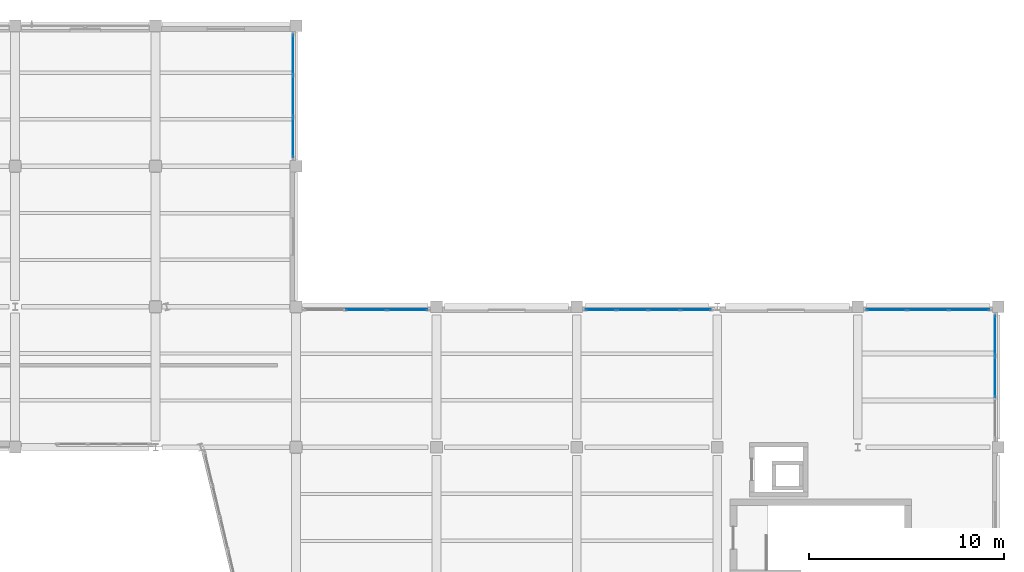
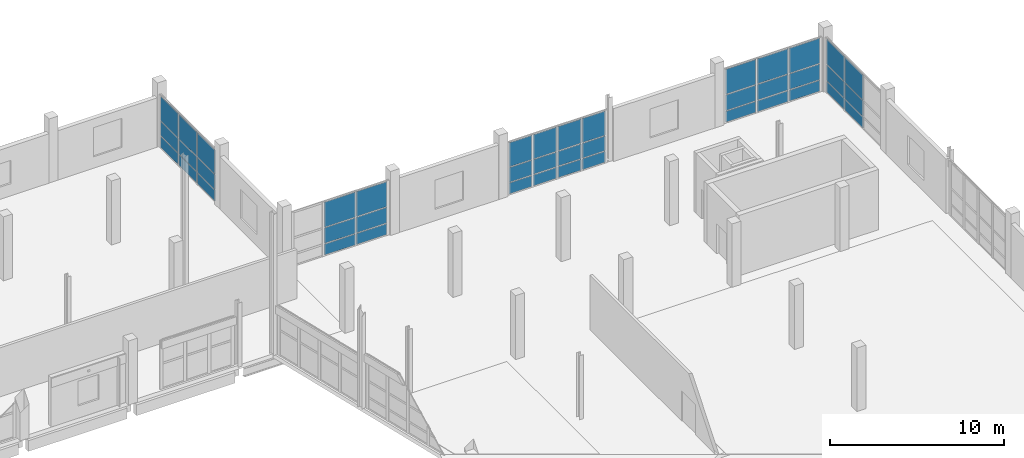
# One storey, part 80 of 123: 42 plates, 5 elements without a shape of their own.
"""IFC4 building model written with IfcOpenShell, lengths in metres."""

from ifc_helpers import new_model, si_unit, direction, frame, origin, origin_2d, place, context, subcontext, project, spatial, rectangle, extrude, material, layer, layer_set, type_object, element, aggregate, save


model = new_model("IFC4")

# Units and contexts
model_context = context("Model", 3, precision=1e-05, world=origin(), true_north=direction((0.0, 1.0)))
body_context = subcontext(model_context, "Body", "Model", "MODEL_VIEW")
ifc_project = project(units=[si_unit("LENGTHUNIT", "METRE"), si_unit("AREAUNIT", "SQUARE_METRE"), si_unit("VOLUMEUNIT", "CUBIC_METRE"), si_unit("PLANEANGLEUNIT", "RADIAN"), si_unit("MASSUNIT", "GRAM", prefix="KILO")], contexts=[model_context])

# Site, building, storey
site_placement = place(None, origin())
site = spatial("IfcSite", under=ifc_project, at=site_placement, CompositionType="ELEMENT")
building_placement = place(site_placement, origin())
building = spatial("IfcBuilding", under=site, at=building_placement, Name="Kalmorath City Hall", CompositionType="ELEMENT")
storey_placement = place(building_placement, frame((0.0, 0.0, 10.199951171875)))
storey = spatial("IfcBuildingStorey", under=building, at=storey_placement, Name="L02", CompositionType="ELEMENT", Elevation=10.199951171875)

# Curtain wall, plates
ifc_material_1 = material(Name="Anodised aluminium and laminated glass", Category="aluminium")
curtain_wall_type_1 = type_object("IfcCurtainWallType", Name="Unitised hurricane curtain wall 6420x3696 M1850", PredefinedType="NOTDEFINED", material=ifc_material_1)
curtain_wall_1_placement = place(storey_placement, origin())
curtain_wall_1 = element("IfcCurtainWall", 1, at=curtain_wall_1_placement, inside=storey, type_object=curtain_wall_type_1, Name="L02 curtain wall CW-64X37M18 #113", PredefinedType="NOTDEFINED")
ifc_material_2 = material(Name="Hurricane laminated low-E glass", Category="glass")
ifc_layer = layer(ifc_material_2, 0.035888671875)
ifc_layer_set = layer_set([ifc_layer], Name="Hurricane laminated low-E glass")
plate_type = type_object("IfcPlateType", Name="Library acoustic low-E glazed panel 36", PredefinedType="CURTAIN_PANEL", material=ifc_layer_set)
plate_1_placement = place(storey_placement, frame((129.43994140625, 113.72119140625, 0.06005859375), z_axis=(0.0, 0.0, 1.0), x_axis=(0.0, -1.0, 0.0)))
plate_1 = element("IfcPlate", 2, at=plate_1_placement, type_object=plate_type, Name="CW-64X37M18 panel 1.1", PredefinedType="CURTAIN_PANEL", context=body_context, shape_type="SweptSolid", body=[
    extrude(rectangle(XDim=2.027587890625, YDim=0.035888671875, at=origin_2d()), origin(), (0.0, 0.0, 1.0), 0.760009765625),
])
plate_2_placement = place(storey_placement, frame((129.43994140625, 113.72119140625, 0.8798828125), z_axis=(0.0, 0.0, 1.0), x_axis=(0.0, -1.0, 0.0)))
plate_2 = element("IfcPlate", 3, at=plate_2_placement, type_object=plate_type, Name="CW-64X37M18 panel 1.2", PredefinedType="CURTAIN_PANEL", context=body_context, shape_type="SweptSolid", body=[
    extrude(rectangle(XDim=2.027587890625, YDim=0.035888671875, at=origin_2d()), origin(), (0.0, 0.0, 1.0), 1.011962890625),
])
plate_3_placement = place(storey_placement, frame((129.43994140625, 113.72119140625, 1.951904296875), z_axis=(0.0, 0.0, 1.0), x_axis=(0.0, -1.0, 0.0)))
plate_3 = element("IfcPlate", 4, at=plate_3_placement, type_object=plate_type, Name="CW-64X37M18 panel 1.3", PredefinedType="CURTAIN_PANEL", context=body_context, shape_type="SweptSolid", body=[
    extrude(rectangle(XDim=2.027587890625, YDim=0.035888671875, at=origin_2d()), origin(), (0.0, 0.0, 1.0), 1.68408203125),
])
plate_4_placement = place(storey_placement, frame((129.43994140625, 111.60009765625, 0.06005859375), z_axis=(0.0, 0.0, 1.0), x_axis=(0.0, -1.0, 0.0)))
plate_4 = element("IfcPlate", 5, at=plate_4_placement, type_object=plate_type, Name="CW-64X37M18 panel 2.1", PredefinedType="CURTAIN_PANEL", context=body_context, shape_type="SweptSolid", body=[
    extrude(rectangle(XDim=2.06494140625, YDim=0.035888671875, at=origin_2d()), origin(), (0.0, 0.0, 1.0), 0.760009765625),
])
plate_5_placement = place(storey_placement, frame((129.43994140625, 111.60009765625, 0.8798828125), z_axis=(0.0, 0.0, 1.0), x_axis=(0.0, -1.0, 0.0)))
plate_5 = element("IfcPlate", 6, at=plate_5_placement, type_object=plate_type, Name="CW-64X37M18 panel 2.2", PredefinedType="CURTAIN_PANEL", context=body_context, shape_type="SweptSolid", body=[
    extrude(rectangle(XDim=2.06494140625, YDim=0.035888671875, at=origin_2d()), origin(), (0.0, 0.0, 1.0), 1.011962890625),
])
plate_6_placement = place(storey_placement, frame((129.43994140625, 111.60009765625, 1.951904296875), z_axis=(0.0, 0.0, 1.0), x_axis=(0.0, -1.0, 0.0)))
plate_6 = element("IfcPlate", 7, at=plate_6_placement, type_object=plate_type, Name="CW-64X37M18 panel 2.3", PredefinedType="CURTAIN_PANEL", context=body_context, shape_type="SweptSolid", body=[
    extrude(rectangle(XDim=2.06494140625, YDim=0.035888671875, at=origin_2d()), origin(), (0.0, 0.0, 1.0), 1.68408203125),
])
plate_7_placement = place(storey_placement, frame((129.43994140625, 109.478759765625, 0.06005859375), z_axis=(0.0, 0.0, 1.0), x_axis=(0.0, -1.0, 0.0)))
plate_7 = element("IfcPlate", 8, at=plate_7_placement, type_object=plate_type, Name="CW-64X37M18 panel 3.1", PredefinedType="CURTAIN_PANEL", context=body_context, shape_type="SweptSolid", body=[
    extrude(rectangle(XDim=2.027587890625, YDim=0.035888671875, at=origin_2d()), origin(), (0.0, 0.0, 1.0), 0.760009765625),
])
plate_8_placement = place(storey_placement, frame((129.43994140625, 109.478759765625, 0.8798828125), z_axis=(0.0, 0.0, 1.0), x_axis=(0.0, -1.0, 0.0)))
plate_8 = element("IfcPlate", 9, at=plate_8_placement, type_object=plate_type, Name="CW-64X37M18 panel 3.2", PredefinedType="CURTAIN_PANEL", context=body_context, shape_type="SweptSolid", body=[
    extrude(rectangle(XDim=2.027587890625, YDim=0.035888671875, at=origin_2d()), origin(), (0.0, 0.0, 1.0), 1.011962890625),
])
plate_9_placement = place(storey_placement, frame((129.43994140625, 109.478759765625, 1.951904296875), z_axis=(0.0, 0.0, 1.0), x_axis=(0.0, -1.0, 0.0)))
plate_9 = element("IfcPlate", 10, at=plate_9_placement, type_object=plate_type, Name="CW-64X37M18 panel 3.3", PredefinedType="CURTAIN_PANEL", context=body_context, shape_type="SweptSolid", body=[
    extrude(rectangle(XDim=2.027587890625, YDim=0.035888671875, at=origin_2d()), origin(), (0.0, 0.0, 1.0), 1.68408203125),
])
aggregate(curtain_wall_1, [plate_1, plate_2, plate_3, plate_4, plate_5, plate_6, plate_7, plate_8, plate_9])

ifc_material_3 = material(Name="Anodised aluminium and laminated glass", Category="aluminium")
curtain_wall_type_2 = type_object("IfcCurtainWallType", Name="Unitised hurricane curtain wall 6420x3835 M1850", PredefinedType="NOTDEFINED", material=ifc_material_3)
curtain_wall_2_placement = place(storey_placement, origin())
curtain_wall_2 = element("IfcCurtainWall", 11, at=curtain_wall_2_placement, inside=storey, type_object=curtain_wall_type_2, Name="L02 curtain wall CW-64X38M18 #114", PredefinedType="NOTDEFINED")
plate_10_placement = place(storey_placement, frame((133.199951171875, 100.639892578125, 0.06005859375), z_axis=(0.0, 0.0, 1.0), x_axis=(1.0, 0.0, 0.0)))
plate_10 = element("IfcPlate", 12, at=plate_10_placement, type_object=plate_type, Name="CW-64X38M18 panel 2.1", PredefinedType="CURTAIN_PANEL", context=body_context, shape_type="SweptSolid", body=[
    extrude(rectangle(XDim=2.06494140625, YDim=0.035888671875, at=origin_2d()), origin(), (0.0, 0.0, 1.0), 0.760009765625),
])
plate_11_placement = place(storey_placement, frame((133.199951171875, 100.639892578125, 0.880126953125), z_axis=(0.0, 0.0, 1.0), x_axis=(1.0, 0.0, 0.0)))
plate_11 = element("IfcPlate", 13, at=plate_11_placement, type_object=plate_type, Name="CW-64X38M18 panel 2.2", PredefinedType="CURTAIN_PANEL", context=body_context, shape_type="SweptSolid", body=[
    extrude(rectangle(XDim=2.06494140625, YDim=0.035888671875, at=origin_2d()), origin(), (0.0, 0.0, 1.0), 1.083984375),
])
plate_12_placement = place(storey_placement, frame((133.199951171875, 100.639892578125, 2.024169921875), z_axis=(0.0, 0.0, 1.0), x_axis=(1.0, 0.0, 0.0)))
plate_12 = element("IfcPlate", 14, at=plate_12_placement, type_object=plate_type, Name="CW-64X38M18 panel 2.3", PredefinedType="CURTAIN_PANEL", context=body_context, shape_type="SweptSolid", body=[
    extrude(rectangle(XDim=2.06494140625, YDim=0.035888671875, at=origin_2d()), origin(), (0.0, 0.0, 1.0), 1.7509765625),
])
plate_13_placement = place(storey_placement, frame((135.3212890625, 100.639892578125, 0.06005859375), z_axis=(0.0, 0.0, 1.0), x_axis=(1.0, 0.0, 0.0)))
plate_13 = element("IfcPlate", 15, at=plate_13_placement, type_object=plate_type, Name="CW-64X38M18 panel 3.1", PredefinedType="CURTAIN_PANEL", context=body_context, shape_type="SweptSolid", body=[
    extrude(rectangle(XDim=2.027587890625, YDim=0.035888671875, at=origin_2d()), origin(), (0.0, 0.0, 1.0), 0.760009765625),
])
plate_14_placement = place(storey_placement, frame((135.3212890625, 100.639892578125, 0.880126953125), z_axis=(0.0, 0.0, 1.0), x_axis=(1.0, 0.0, 0.0)))
plate_14 = element("IfcPlate", 16, at=plate_14_placement, type_object=plate_type, Name="CW-64X38M18 panel 3.2", PredefinedType="CURTAIN_PANEL", context=body_context, shape_type="SweptSolid", body=[
    extrude(rectangle(XDim=2.027587890625, YDim=0.035888671875, at=origin_2d()), origin(), (0.0, 0.0, 1.0), 1.083984375),
])
plate_15_placement = place(storey_placement, frame((135.3212890625, 100.639892578125, 2.024169921875), z_axis=(0.0, 0.0, 1.0), x_axis=(1.0, 0.0, 0.0)))
plate_15 = element("IfcPlate", 17, at=plate_15_placement, type_object=plate_type, Name="CW-64X38M18 panel 3.3", PredefinedType="CURTAIN_PANEL", context=body_context, shape_type="SweptSolid", body=[
    extrude(rectangle(XDim=2.027587890625, YDim=0.035888671875, at=origin_2d()), origin(), (0.0, 0.0, 1.0), 1.7509765625),
])
aggregate(curtain_wall_2, [plate_10, plate_11, plate_12, plate_13, plate_14, plate_15])

ifc_material_4 = material(Name="Anodised aluminium and laminated glass", Category="aluminium")
curtain_wall_type_3 = type_object("IfcCurtainWallType", Name="Unitised hurricane curtain wall 6543x3715 M1850", PredefinedType="NOTDEFINED", material=ifc_material_4)
curtain_wall_3_placement = place(storey_placement, origin())
curtain_wall_3 = element("IfcCurtainWall", 18, at=curtain_wall_3_placement, inside=storey, type_object=curtain_wall_type_3, Name="L02 curtain wall CW-65X37M18 #115", PredefinedType="NOTDEFINED")
plate_16_placement = place(storey_placement, frame((145.226806640625, 100.639892578125, 0.06005859375), z_axis=(0.0, 0.0, 1.0), x_axis=(1.0, 0.0, 0.0)))
plate_16 = element("IfcPlate", 19, at=plate_16_placement, type_object=plate_type, Name="CW-65X37M18 panel 1.1", PredefinedType="CURTAIN_PANEL", context=body_context, shape_type="SweptSolid", body=[
    extrude(rectangle(XDim=1.5234375, YDim=0.035888671875, at=origin_2d()), origin(), (0.0, 0.0, 1.0), 0.760009765625),
])
plate_17_placement = place(storey_placement, frame((145.226806640625, 100.639892578125, 0.880126953125), z_axis=(0.0, 0.0, 1.0), x_axis=(1.0, 0.0, 0.0)))
plate_17 = element("IfcPlate", 20, at=plate_17_placement, type_object=plate_type, Name="CW-65X37M18 panel 1.2", PredefinedType="CURTAIN_PANEL", context=body_context, shape_type="SweptSolid", body=[
    extrude(rectangle(XDim=1.5234375, YDim=0.035888671875, at=origin_2d()), origin(), (0.0, 0.0, 1.0), 1.02197265625),
])
plate_18_placement = place(storey_placement, frame((145.226806640625, 100.639892578125, 1.9619140625), z_axis=(0.0, 0.0, 1.0), x_axis=(1.0, 0.0, 0.0)))
plate_18 = element("IfcPlate", 21, at=plate_18_placement, type_object=plate_type, Name="CW-65X37M18 panel 1.3", PredefinedType="CURTAIN_PANEL", context=body_context, shape_type="SweptSolid", body=[
    extrude(rectangle(XDim=1.5234375, YDim=0.035888671875, at=origin_2d()), origin(), (0.0, 0.0, 1.0), 1.693115234375),
])
plate_19_placement = place(storey_placement, frame((146.84375, 100.639892578125, 0.06005859375), z_axis=(0.0, 0.0, 1.0), x_axis=(1.0, 0.0, 0.0)))
plate_19 = element("IfcPlate", 22, at=plate_19_placement, type_object=plate_type, Name="CW-65X37M18 panel 2.1", PredefinedType="CURTAIN_PANEL", context=body_context, shape_type="SweptSolid", body=[
    extrude(rectangle(XDim=1.560791015625, YDim=0.035888671875, at=origin_2d()), origin(), (0.0, 0.0, 1.0), 0.760009765625),
])
plate_20_placement = place(storey_placement, frame((146.84375, 100.639892578125, 0.880126953125), z_axis=(0.0, 0.0, 1.0), x_axis=(1.0, 0.0, 0.0)))
plate_20 = element("IfcPlate", 23, at=plate_20_placement, type_object=plate_type, Name="CW-65X37M18 panel 2.2", PredefinedType="CURTAIN_PANEL", context=body_context, shape_type="SweptSolid", body=[
    extrude(rectangle(XDim=1.560791015625, YDim=0.035888671875, at=origin_2d()), origin(), (0.0, 0.0, 1.0), 1.02197265625),
])
plate_21_placement = place(storey_placement, frame((146.84375, 100.639892578125, 1.9619140625), z_axis=(0.0, 0.0, 1.0), x_axis=(1.0, 0.0, 0.0)))
plate_21 = element("IfcPlate", 24, at=plate_21_placement, type_object=plate_type, Name="CW-65X37M18 panel 2.3", PredefinedType="CURTAIN_PANEL", context=body_context, shape_type="SweptSolid", body=[
    extrude(rectangle(XDim=1.560791015625, YDim=0.035888671875, at=origin_2d()), origin(), (0.0, 0.0, 1.0), 1.693115234375),
])
plate_22_placement = place(storey_placement, frame((148.479736328125, 100.639892578125, 0.06005859375), z_axis=(0.0, 0.0, 1.0), x_axis=(1.0, 0.0, 0.0)))
plate_22 = element("IfcPlate", 25, at=plate_22_placement, type_object=plate_type, Name="CW-65X37M18 panel 3.1", PredefinedType="CURTAIN_PANEL", context=body_context, shape_type="SweptSolid", body=[
    extrude(rectangle(XDim=1.560791015625, YDim=0.035888671875, at=origin_2d()), origin(), (0.0, 0.0, 1.0), 0.760009765625),
])
plate_23_placement = place(storey_placement, frame((148.479736328125, 100.639892578125, 0.880126953125), z_axis=(0.0, 0.0, 1.0), x_axis=(1.0, 0.0, 0.0)))
plate_23 = element("IfcPlate", 26, at=plate_23_placement, type_object=plate_type, Name="CW-65X37M18 panel 3.2", PredefinedType="CURTAIN_PANEL", context=body_context, shape_type="SweptSolid", body=[
    extrude(rectangle(XDim=1.560791015625, YDim=0.035888671875, at=origin_2d()), origin(), (0.0, 0.0, 1.0), 1.02197265625),
])
plate_24_placement = place(storey_placement, frame((148.479736328125, 100.639892578125, 1.9619140625), z_axis=(0.0, 0.0, 1.0), x_axis=(1.0, 0.0, 0.0)))
plate_24 = element("IfcPlate", 27, at=plate_24_placement, type_object=plate_type, Name="CW-65X37M18 panel 3.3", PredefinedType="CURTAIN_PANEL", context=body_context, shape_type="SweptSolid", body=[
    extrude(rectangle(XDim=1.560791015625, YDim=0.035888671875, at=origin_2d()), origin(), (0.0, 0.0, 1.0), 1.693115234375),
])
plate_25_placement = place(storey_placement, frame((150.096923828125, 100.639892578125, 0.06005859375), z_axis=(0.0, 0.0, 1.0), x_axis=(1.0, 0.0, 0.0)))
plate_25 = element("IfcPlate", 28, at=plate_25_placement, type_object=plate_type, Name="CW-65X37M18 panel 4.1", PredefinedType="CURTAIN_PANEL", context=body_context, shape_type="SweptSolid", body=[
    extrude(rectangle(XDim=1.5234375, YDim=0.035888671875, at=origin_2d()), origin(), (0.0, 0.0, 1.0), 0.760009765625),
])
plate_26_placement = place(storey_placement, frame((150.096923828125, 100.639892578125, 0.880126953125), z_axis=(0.0, 0.0, 1.0), x_axis=(1.0, 0.0, 0.0)))
plate_26 = element("IfcPlate", 29, at=plate_26_placement, type_object=plate_type, Name="CW-65X37M18 panel 4.2", PredefinedType="CURTAIN_PANEL", context=body_context, shape_type="SweptSolid", body=[
    extrude(rectangle(XDim=1.5234375, YDim=0.035888671875, at=origin_2d()), origin(), (0.0, 0.0, 1.0), 1.02197265625),
])
plate_27_placement = place(storey_placement, frame((150.096923828125, 100.639892578125, 1.9619140625), z_axis=(0.0, 0.0, 1.0), x_axis=(1.0, 0.0, 0.0)))
plate_27 = element("IfcPlate", 30, at=plate_27_placement, type_object=plate_type, Name="CW-65X37M18 panel 4.3", PredefinedType="CURTAIN_PANEL", context=body_context, shape_type="SweptSolid", body=[
    extrude(rectangle(XDim=1.5234375, YDim=0.035888671875, at=origin_2d()), origin(), (0.0, 0.0, 1.0), 1.693115234375),
])
aggregate(curtain_wall_3, [plate_16, plate_17, plate_18, plate_19, plate_20, plate_21, plate_22, plate_23, plate_24, plate_25, plate_26, plate_27])

curtain_wall_4_placement = place(storey_placement, origin())
curtain_wall_4 = element("IfcCurtainWall", 31, at=curtain_wall_4_placement, inside=storey, type_object=curtain_wall_type_2, Name="L02 curtain wall CW-64X38M18 #116", PredefinedType="NOTDEFINED")
plate_28_placement = place(storey_placement, frame((159.878662109375, 100.639892578125, 0.06005859375), z_axis=(0.0, 0.0, 1.0), x_axis=(1.0, 0.0, 0.0)))
plate_28 = element("IfcPlate", 32, at=plate_28_placement, type_object=plate_type, Name="CW-64X38M18 panel 1.1", PredefinedType="CURTAIN_PANEL", context=body_context, shape_type="SweptSolid", body=[
    extrude(rectangle(XDim=2.027587890625, YDim=0.035888671875, at=origin_2d()), origin(), (0.0, 0.0, 1.0), 0.760009765625),
])
plate_29_placement = place(storey_placement, frame((159.878662109375, 100.639892578125, 0.880126953125), z_axis=(0.0, 0.0, 1.0), x_axis=(1.0, 0.0, 0.0)))
plate_29 = element("IfcPlate", 33, at=plate_29_placement, type_object=plate_type, Name="CW-64X38M18 panel 1.2", PredefinedType="CURTAIN_PANEL", context=body_context, shape_type="SweptSolid", body=[
    extrude(rectangle(XDim=2.027587890625, YDim=0.035888671875, at=origin_2d()), origin(), (0.0, 0.0, 1.0), 1.083984375),
])
plate_30_placement = place(storey_placement, frame((159.878662109375, 100.639892578125, 2.024169921875), z_axis=(0.0, 0.0, 1.0), x_axis=(1.0, 0.0, 0.0)))
plate_30 = element("IfcPlate", 34, at=plate_30_placement, type_object=plate_type, Name="CW-64X38M18 panel 1.3", PredefinedType="CURTAIN_PANEL", context=body_context, shape_type="SweptSolid", body=[
    extrude(rectangle(XDim=2.027587890625, YDim=0.035888671875, at=origin_2d()), origin(), (0.0, 0.0, 1.0), 1.7509765625),
])
plate_31_placement = place(storey_placement, frame((162.0, 100.639892578125, 0.06005859375), z_axis=(0.0, 0.0, 1.0), x_axis=(1.0, 0.0, 0.0)))
plate_31 = element("IfcPlate", 35, at=plate_31_placement, type_object=plate_type, Name="CW-64X38M18 panel 2.1", PredefinedType="CURTAIN_PANEL", context=body_context, shape_type="SweptSolid", body=[
    extrude(rectangle(XDim=2.06494140625, YDim=0.035888671875, at=origin_2d()), origin(), (0.0, 0.0, 1.0), 0.760009765625),
])
plate_32_placement = place(storey_placement, frame((162.0, 100.639892578125, 0.880126953125), z_axis=(0.0, 0.0, 1.0), x_axis=(1.0, 0.0, 0.0)))
plate_32 = element("IfcPlate", 36, at=plate_32_placement, type_object=plate_type, Name="CW-64X38M18 panel 2.2", PredefinedType="CURTAIN_PANEL", context=body_context, shape_type="SweptSolid", body=[
    extrude(rectangle(XDim=2.06494140625, YDim=0.035888671875, at=origin_2d()), origin(), (0.0, 0.0, 1.0), 1.083984375),
])
plate_33_placement = place(storey_placement, frame((162.0, 100.639892578125, 2.024169921875), z_axis=(0.0, 0.0, 1.0), x_axis=(1.0, 0.0, 0.0)))
plate_33 = element("IfcPlate", 37, at=plate_33_placement, type_object=plate_type, Name="CW-64X38M18 panel 2.3", PredefinedType="CURTAIN_PANEL", context=body_context, shape_type="SweptSolid", body=[
    extrude(rectangle(XDim=2.06494140625, YDim=0.035888671875, at=origin_2d()), origin(), (0.0, 0.0, 1.0), 1.7509765625),
])
plate_34_placement = place(storey_placement, frame((164.121337890625, 100.639892578125, 0.06005859375), z_axis=(0.0, 0.0, 1.0), x_axis=(1.0, 0.0, 0.0)))
plate_34 = element("IfcPlate", 38, at=plate_34_placement, type_object=plate_type, Name="CW-64X38M18 panel 3.1", PredefinedType="CURTAIN_PANEL", context=body_context, shape_type="SweptSolid", body=[
    extrude(rectangle(XDim=2.027587890625, YDim=0.035888671875, at=origin_2d()), origin(), (0.0, 0.0, 1.0), 0.760009765625),
])
plate_35_placement = place(storey_placement, frame((164.121337890625, 100.639892578125, 0.880126953125), z_axis=(0.0, 0.0, 1.0), x_axis=(1.0, 0.0, 0.0)))
plate_35 = element("IfcPlate", 39, at=plate_35_placement, type_object=plate_type, Name="CW-64X38M18 panel 3.2", PredefinedType="CURTAIN_PANEL", context=body_context, shape_type="SweptSolid", body=[
    extrude(rectangle(XDim=2.027587890625, YDim=0.035888671875, at=origin_2d()), origin(), (0.0, 0.0, 1.0), 1.083984375),
])
plate_36_placement = place(storey_placement, frame((164.121337890625, 100.639892578125, 2.024169921875), z_axis=(0.0, 0.0, 1.0), x_axis=(1.0, 0.0, 0.0)))
plate_36 = element("IfcPlate", 40, at=plate_36_placement, type_object=plate_type, Name="CW-64X38M18 panel 3.3", PredefinedType="CURTAIN_PANEL", context=body_context, shape_type="SweptSolid", body=[
    extrude(rectangle(XDim=2.027587890625, YDim=0.035888671875, at=origin_2d()), origin(), (0.0, 0.0, 1.0), 1.7509765625),
])
aggregate(curtain_wall_4, [plate_28, plate_29, plate_30, plate_31, plate_32, plate_33, plate_34, plate_35, plate_36])

curtain_wall_5_placement = place(storey_placement, origin())
curtain_wall_5 = element("IfcCurtainWall", 41, at=curtain_wall_5_placement, inside=storey, type_object=curtain_wall_type_2, Name="L02 curtain wall CW-64X38M18 #117", PredefinedType="NOTDEFINED")
plate_37_placement = place(storey_placement, frame((165.43994140625, 99.3212890625, 0.06005859375), z_axis=(0.0, 0.0, 1.0), x_axis=(0.0, -1.0, 0.0)))
plate_37 = element("IfcPlate", 42, at=plate_37_placement, type_object=plate_type, Name="CW-64X38M18 panel 1.1", PredefinedType="CURTAIN_PANEL", context=body_context, shape_type="SweptSolid", body=[
    extrude(rectangle(XDim=2.027587890625, YDim=0.035888671875, at=origin_2d()), origin(), (0.0, 0.0, 1.0), 0.760009765625),
])
plate_38_placement = place(storey_placement, frame((165.43994140625, 99.3212890625, 0.880126953125), z_axis=(0.0, 0.0, 1.0), x_axis=(0.0, -1.0, 0.0)))
plate_38 = element("IfcPlate", 43, at=plate_38_placement, type_object=plate_type, Name="CW-64X38M18 panel 1.2", PredefinedType="CURTAIN_PANEL", context=body_context, shape_type="SweptSolid", body=[
    extrude(rectangle(XDim=2.027587890625, YDim=0.035888671875, at=origin_2d()), origin(), (0.0, 0.0, 1.0), 1.083984375),
])
plate_39_placement = place(storey_placement, frame((165.43994140625, 99.3212890625, 2.024169921875), z_axis=(0.0, 0.0, 1.0), x_axis=(0.0, -1.0, 0.0)))
plate_39 = element("IfcPlate", 44, at=plate_39_placement, type_object=plate_type, Name="CW-64X38M18 panel 1.3", PredefinedType="CURTAIN_PANEL", context=body_context, shape_type="SweptSolid", body=[
    extrude(rectangle(XDim=2.027587890625, YDim=0.035888671875, at=origin_2d()), origin(), (0.0, 0.0, 1.0), 1.7509765625),
])
plate_40_placement = place(storey_placement, frame((165.43994140625, 97.199951171875, 0.06005859375), z_axis=(0.0, 0.0, 1.0), x_axis=(0.0, -1.0, 0.0)))
plate_40 = element("IfcPlate", 45, at=plate_40_placement, type_object=plate_type, Name="CW-64X38M18 panel 2.1", PredefinedType="CURTAIN_PANEL", context=body_context, shape_type="SweptSolid", body=[
    extrude(rectangle(XDim=2.06494140625, YDim=0.035888671875, at=origin_2d()), origin(), (0.0, 0.0, 1.0), 0.760009765625),
])
plate_41_placement = place(storey_placement, frame((165.43994140625, 97.199951171875, 0.880126953125), z_axis=(0.0, 0.0, 1.0), x_axis=(0.0, -1.0, 0.0)))
plate_41 = element("IfcPlate", 46, at=plate_41_placement, type_object=plate_type, Name="CW-64X38M18 panel 2.2", PredefinedType="CURTAIN_PANEL", context=body_context, shape_type="SweptSolid", body=[
    extrude(rectangle(XDim=2.06494140625, YDim=0.035888671875, at=origin_2d()), origin(), (0.0, 0.0, 1.0), 1.083984375),
])
plate_42_placement = place(storey_placement, frame((165.43994140625, 97.199951171875, 2.024169921875), z_axis=(0.0, 0.0, 1.0), x_axis=(0.0, -1.0, 0.0)))
plate_42 = element("IfcPlate", 47, at=plate_42_placement, type_object=plate_type, Name="CW-64X38M18 panel 2.3", PredefinedType="CURTAIN_PANEL", context=body_context, shape_type="SweptSolid", body=[
    extrude(rectangle(XDim=2.06494140625, YDim=0.035888671875, at=origin_2d()), origin(), (0.0, 0.0, 1.0), 1.7509765625),
])
aggregate(curtain_wall_5, [plate_37, plate_38, plate_39, plate_40, plate_41, plate_42])

save(model, "model.ifc")
